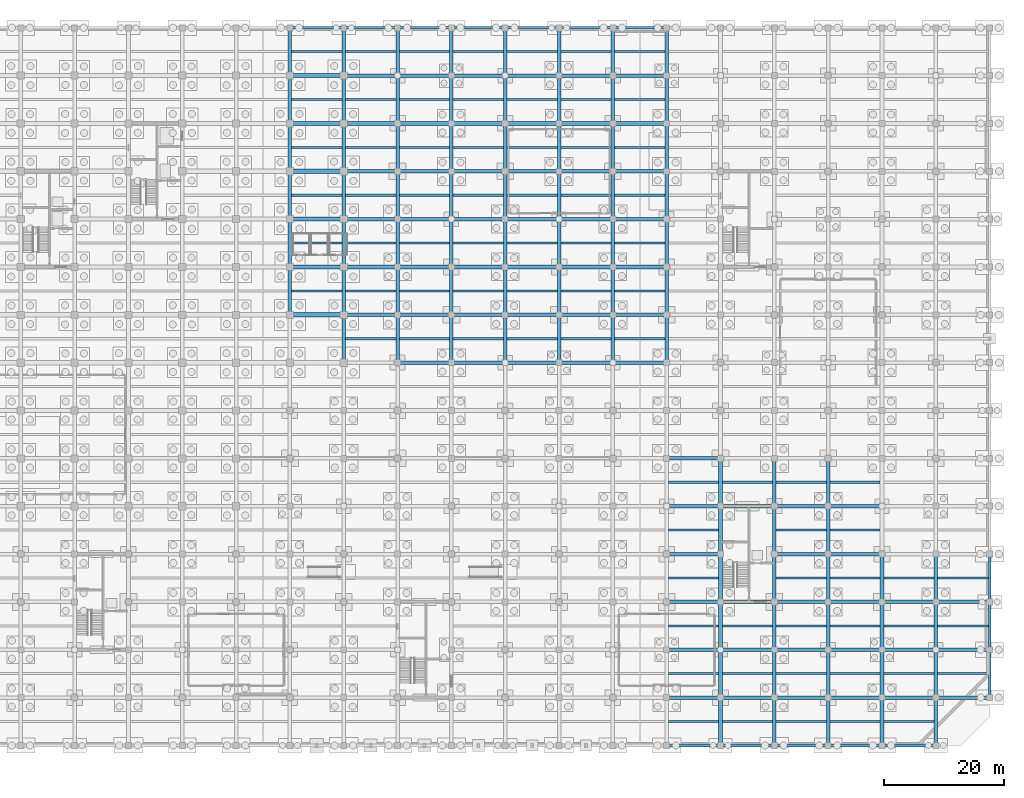
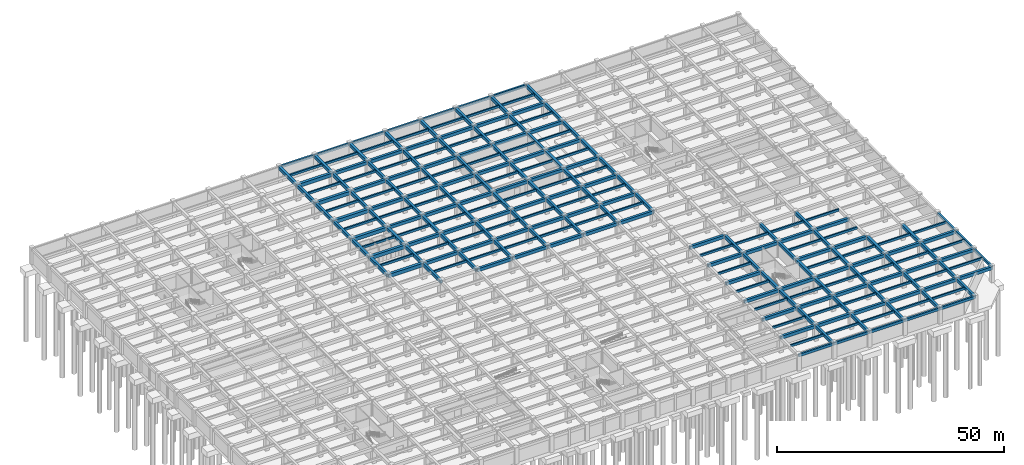
# One storey, part 14 of 31: 246 beams.
"""IFC4 building model written with IfcOpenShell, lengths in metres."""

from ifc_helpers import new_model, si_unit, direction, frame, origin, origin_2d, place, context, subcontext, project, spatial, rectangle, extrude, material, material_profile, profile_set, type_object, element, save


model = new_model("IFC4")

# Units and contexts
model_context = context("Model", 3, precision=1e-05, world=origin(), true_north=direction((0.0, 1.0)))
body_context = subcontext(model_context, "Body", "Model", "MODEL_VIEW")
ifc_project = project(units=[si_unit("LENGTHUNIT", "METRE"), si_unit("AREAUNIT", "SQUARE_METRE"), si_unit("VOLUMEUNIT", "CUBIC_METRE"), si_unit("PLANEANGLEUNIT", "RADIAN"), si_unit("MASSUNIT", "GRAM", prefix="KILO")], contexts=[model_context])

# Site, building, storey
site_placement = place(None, origin())
site = spatial("IfcSite", under=ifc_project, at=site_placement, CompositionType="ELEMENT")
building_placement = place(site_placement, origin())
building = spatial("IfcBuilding", under=site, at=building_placement, Name="Zaverband Oceanarium and Marine Research Institute", CompositionType="ELEMENT")
storey_placement = place(building_placement, frame((0.0, 0.0, -9.0)))
storey = spatial("IfcBuildingStorey", under=building, at=storey_placement, Name="B2", CompositionType="ELEMENT", Elevation=-9.0)

# Beams
ifc_material_1 = material(Name="Concrete C40/50", Category="concrete")
ifc_material_profile_1 = material_profile(ifc_material_1, rectangle(XDim=0.60009765625, YDim=0.85009765625, at=origin_2d()), Name="RC600x850")
ifc_profile_set_1 = profile_set([ifc_material_profile_1], Name="Concrete C40/50")
beam_type_1 = type_object("IfcBeamType", Name="BM-600x850", PredefinedType="BEAM", material=ifc_profile_set_1)
for number, where, z_axis, x_axis, name in (
    (1, (126.0, 8.0, 3.77490234375), (1.0, 0.0, 0.0), (0.0, 1.0, 0.0), "Primary floor girder BM-600x850"),
    (2, (135.0, 8.0, 3.77490234375), (1.0, 0.0, 0.0), (0.0, 1.0, 0.0), "Primary floor girder BM-600x850"),
    (3, (144.0, 8.0, 3.77490234375), (1.0, 0.0, 0.0), (0.0, 1.0, 0.0), "Primary floor girder BM-600x850"),
    (4, (153.0, 8.0, 3.77490234375), (1.0, 0.0, 0.0), (0.0, 1.0, 0.0), "Primary floor girder BM-600x850"),
    (5, (162.0, 8.0, 3.77490234375), (1.0, 0.0, 0.0), (0.0, 1.0, 0.0), "Primary floor girder BM-600x850"),
    (6, (171.0, 8.0, 3.77490234375), (1.0, 0.0, 0.0), (0.0, 1.0, 0.0), "Primary floor girder BM-600x850"),
    (7, (126.0, 16.0, 3.77490234375), (1.0, 0.0, 0.0), (0.0, 1.0, 0.0), "Primary floor girder BM-600x850"),
    (8, (135.0, 16.0, 3.77490234375), (1.0, 0.0, 0.0), (0.0, 1.0, 0.0), "Primary floor girder BM-600x850"),
    (9, (144.0, 16.0, 3.77490234375), (1.0, 0.0, 0.0), (0.0, 1.0, 0.0), "Primary floor girder BM-600x850"),
    (10, (153.0, 16.0, 3.77490234375), (1.0, 0.0, 0.0), (0.0, 1.0, 0.0), "Primary floor girder BM-600x850"),
    (11, (162.0, 16.0, 3.77490234375), (1.0, 0.0, 0.0), (0.0, 1.0, 0.0), "Primary floor girder BM-600x850"),
    (12, (171.0, 16.0, 3.77490234375), (1.0, 0.0, 0.0), (0.0, 1.0, 0.0), "Primary floor girder BM-600x850"),
    (13, (126.0, 24.0, 3.77490234375), (1.0, 0.0, 0.0), (0.0, 1.0, 0.0), "Primary floor girder BM-600x850"),
    (14, (135.0, 24.0, 3.77490234375), (1.0, 0.0, 0.0), (0.0, 1.0, 0.0), "Primary floor girder BM-600x850"),
    (15, (144.0, 24.0, 3.77490234375), (1.0, 0.0, 0.0), (0.0, 1.0, 0.0), "Primary floor girder BM-600x850"),
    (16, (153.0, 24.0, 3.77490234375), (1.0, 0.0, 0.0), (0.0, 1.0, 0.0), "Primary floor girder BM-600x850"),
    (17, (162.0, 24.0, 3.77490234375), (1.0, 0.0, 0.0), (0.0, 1.0, 0.0), "Primary floor girder BM-600x850"),
    (18, (171.0, 24.0, 3.77490234375), (1.0, 0.0, 0.0), (0.0, 1.0, 0.0), "Primary floor girder BM-600x850"),
    (19, (126.0, 32.0, 3.77490234375), (1.0, 0.0, 0.0), (0.0, 1.0, 0.0), "Primary floor girder BM-600x850"),
    (20, (144.0, 32.0, 3.77490234375), (1.0, 0.0, 0.0), (0.0, 1.0, 0.0), "Primary floor girder BM-600x850"),
    (21, (153.0, 32.0, 3.77490234375), (1.0, 0.0, 0.0), (0.0, 1.0, 0.0), "Primary floor girder BM-600x850"),
    (22, (126.0, 40.0, 3.77490234375), (1.0, 0.0, 0.0), (0.0, 1.0, 0.0), "Primary floor girder BM-600x850"),
    (23, (135.0, 40.0, 3.77490234375), (1.0, 0.0, 0.0), (0.0, 1.0, 0.0), "Primary floor girder BM-600x850"),
    (24, (144.0, 40.0, 3.77490234375), (1.0, 0.0, 0.0), (0.0, 1.0, 0.0), "Primary floor girder BM-600x850"),
    (25, (153.0, 40.0, 3.77490234375), (1.0, 0.0, 0.0), (0.0, 1.0, 0.0), "Primary floor girder BM-600x850"),
    (26, (126.0, 48.0, 3.77490234375), (1.0, 0.0, 0.0), (0.0, 1.0, 0.0), "Primary floor girder BM-600x850"),
    (27, (81.0, 64.0, 3.77490234375), (1.0, 0.0, 0.0), (0.0, 1.0, 0.0), "Primary floor girder BM-600x850"),
    (28, (90.0, 64.0, 3.77490234375), (1.0, 0.0, 0.0), (0.0, 1.0, 0.0), "Primary floor girder BM-600x850"),
    (29, (99.0, 64.0, 3.77490234375), (1.0, 0.0, 0.0), (0.0, 1.0, 0.0), "Primary floor girder BM-600x850"),
    (30, (108.0, 64.0, 3.77490234375), (1.0, 0.0, 0.0), (0.0, 1.0, 0.0), "Primary floor girder BM-600x850"),
    (31, (117.0, 64.0, 3.77490234375), (1.0, 0.0, 0.0), (0.0, 1.0, 0.0), "Primary floor girder BM-600x850"),
    (32, (72.0, 72.0, 3.77490234375), (1.0, 0.0, 0.0), (0.0, 1.0, 0.0), "Primary floor girder BM-600x850"),
    (33, (81.0, 72.0, 3.77490234375), (1.0, 0.0, 0.0), (0.0, 1.0, 0.0), "Primary floor girder BM-600x850"),
    (34, (90.0, 72.0, 3.77490234375), (1.0, 0.0, 0.0), (0.0, 1.0, 0.0), "Primary floor girder BM-600x850"),
    (35, (99.0, 72.0, 3.77490234375), (1.0, 0.0, 0.0), (0.0, 1.0, 0.0), "Primary floor girder BM-600x850"),
    (36, (108.0, 72.0, 3.77490234375), (1.0, 0.0, 0.0), (0.0, 1.0, 0.0), "Primary floor girder BM-600x850"),
    (37, (117.0, 72.0, 3.77490234375), (1.0, 0.0, 0.0), (0.0, 1.0, 0.0), "Primary floor girder BM-600x850"),
    (38, (72.0, 80.0, 3.77490234375), (1.0, 0.0, 0.0), (0.0, 1.0, 0.0), "Primary floor girder BM-600x850"),
    (39, (81.0, 80.0, 3.77490234375), (1.0, 0.0, 0.0), (0.0, 1.0, 0.0), "Primary floor girder BM-600x850"),
    (40, (90.0, 80.0, 3.77490234375), (1.0, 0.0, 0.0), (0.0, 1.0, 0.0), "Primary floor girder BM-600x850"),
    (41, (99.0, 80.0, 3.77490234375), (1.0, 0.0, 0.0), (0.0, 1.0, 0.0), "Primary floor girder BM-600x850"),
    (42, (108.0, 80.0, 3.77490234375), (1.0, 0.0, 0.0), (0.0, 1.0, 0.0), "Primary floor girder BM-600x850"),
    (43, (117.0, 80.0, 3.77490234375), (1.0, 0.0, 0.0), (0.0, 1.0, 0.0), "Primary floor girder BM-600x850"),
    (44, (72.0, 88.0, 3.77490234375), (1.0, 0.0, 0.0), (0.0, 1.0, 0.0), "Primary floor girder BM-600x850"),
    (45, (81.0, 88.0, 3.77490234375), (1.0, 0.0, 0.0), (0.0, 1.0, 0.0), "Primary floor girder BM-600x850"),
    (46, (90.0, 88.0, 3.77490234375), (1.0, 0.0, 0.0), (0.0, 1.0, 0.0), "Primary floor girder BM-600x850"),
    (47, (99.0, 88.0, 3.77490234375), (1.0, 0.0, 0.0), (0.0, 1.0, 0.0), "Primary floor girder BM-600x850"),
    (48, (108.0, 88.0, 3.77490234375), (1.0, 0.0, 0.0), (0.0, 1.0, 0.0), "Primary floor girder BM-600x850"),
    (49, (117.0, 88.0, 3.77490234375), (1.0, 0.0, 0.0), (0.0, 1.0, 0.0), "Primary floor girder BM-600x850"),
    (50, (72.0, 96.0, 3.77490234375), (1.0, 0.0, 0.0), (0.0, 1.0, 0.0), "Primary floor girder BM-600x850"),
    (51, (81.0, 96.0, 3.77490234375), (1.0, 0.0, 0.0), (0.0, 1.0, 0.0), "Primary floor girder BM-600x850"),
    (52, (90.0, 96.0, 3.77490234375), (1.0, 0.0, 0.0), (0.0, 1.0, 0.0), "Primary floor girder BM-600x850"),
    (53, (99.0, 96.0, 3.77490234375), (1.0, 0.0, 0.0), (0.0, 1.0, 0.0), "Primary floor girder BM-600x850"),
    (54, (108.0, 96.0, 3.77490234375), (1.0, 0.0, 0.0), (0.0, 1.0, 0.0), "Primary floor girder BM-600x850"),
    (55, (117.0, 96.0, 3.77490234375), (1.0, 0.0, 0.0), (0.0, 1.0, 0.0), "Primary floor girder BM-600x850"),
    (56, (72.0, 104.0, 3.77490234375), (1.0, 0.0, 0.0), (0.0, 1.0, 0.0), "Primary floor girder BM-600x850"),
    (57, (81.0, 104.0, 3.77490234375), (1.0, 0.0, 0.0), (0.0, 1.0, 0.0), "Primary floor girder BM-600x850"),
    (58, (90.0, 104.0, 3.77490234375), (1.0, 0.0, 0.0), (0.0, 1.0, 0.0), "Primary floor girder BM-600x850"),
    (59, (99.0, 104.0, 3.77490234375), (1.0, 0.0, 0.0), (0.0, 1.0, 0.0), "Primary floor girder BM-600x850"),
    (60, (108.0, 104.0, 3.77490234375), (1.0, 0.0, 0.0), (0.0, 1.0, 0.0), "Primary floor girder BM-600x850"),
    (61, (117.0, 104.0, 3.77490234375), (1.0, 0.0, 0.0), (0.0, 1.0, 0.0), "Primary floor girder BM-600x850"),
    (62, (72.0, 112.0, 3.77490234375), (1.0, 0.0, 0.0), (0.0, 1.0, 0.0), "Primary floor girder BM-600x850"),
    (63, (81.0, 112.0, 3.77490234375), (1.0, 0.0, 0.0), (0.0, 1.0, 0.0), "Primary floor girder BM-600x850"),
    (64, (90.0, 112.0, 3.77490234375), (1.0, 0.0, 0.0), (0.0, 1.0, 0.0), "Primary floor girder BM-600x850"),
    (65, (99.0, 112.0, 3.77490234375), (1.0, 0.0, 0.0), (0.0, 1.0, 0.0), "Primary floor girder BM-600x850"),
    (66, (108.0, 112.0, 3.77490234375), (1.0, 0.0, 0.0), (0.0, 1.0, 0.0), "Primary floor girder BM-600x850"),
    (67, (117.0, 112.0, 3.77490234375), (1.0, 0.0, 0.0), (0.0, 1.0, 0.0), "Primary floor girder BM-600x850"),
):
    element("IfcBeam", number, at=place(storey_placement, frame(where, z_axis=z_axis, x_axis=x_axis)), inside=storey, type_object=beam_type_1, Name=name, PredefinedType="BEAM", context=body_context, shape_type="SweptSolid", body=[
        extrude(rectangle(XDim=0.60009765625, YDim=0.85009765625, at=origin_2d()), origin(), (0.0, 0.0, 1.0), 9.0),
    ])
for number, where, z_axis, x_axis, name in (
    (68, (63.0, 72.0, 3.77490234375), (0.0, 1.0, 0.0), (-1.0, 0.0, 0.0), "Primary floor girder BM-600x850"),
    (69, (63.0, 80.0, 3.77490234375), (0.0, 1.0, 0.0), (-1.0, 0.0, 0.0), "Primary floor girder BM-600x850"),
    (70, (63.0, 88.0, 3.77490234375), (0.0, 1.0, 0.0), (-1.0, 0.0, 0.0), "Primary floor girder BM-600x850"),
    (71, (63.0, 96.0, 3.77490234375), (0.0, 1.0, 0.0), (-1.0, 0.0, 0.0), "Primary floor girder BM-600x850"),
    (72, (63.0, 104.0, 3.77490234375), (0.0, 1.0, 0.0), (-1.0, 0.0, 0.0), "Primary floor girder BM-600x850"),
    (73, (63.0, 112.0, 3.77490234375), (0.0, 1.0, 0.0), (-1.0, 0.0, 0.0), "Primary floor girder BM-600x850"),
    (74, (72.0, 64.0, 3.77490234375), (0.0, 1.0, 0.0), (-1.0, 0.0, 0.0), "Primary floor girder BM-600x850"),
    (75, (72.0, 72.0, 3.77490234375), (0.0, 1.0, 0.0), (-1.0, 0.0, 0.0), "Primary floor girder BM-600x850"),
    (76, (72.0, 80.0, 3.77490234375), (0.0, 1.0, 0.0), (-1.0, 0.0, 0.0), "Primary floor girder BM-600x850"),
    (77, (72.0, 88.0, 3.77490234375), (0.0, 1.0, 0.0), (-1.0, 0.0, 0.0), "Primary floor girder BM-600x850"),
    (78, (72.0, 96.0, 3.77490234375), (0.0, 1.0, 0.0), (-1.0, 0.0, 0.0), "Primary floor girder BM-600x850"),
    (79, (72.0, 104.0, 3.77490234375), (0.0, 1.0, 0.0), (-1.0, 0.0, 0.0), "Primary floor girder BM-600x850"),
    (80, (72.0, 112.0, 3.77490234375), (0.0, 1.0, 0.0), (-1.0, 0.0, 0.0), "Primary floor girder BM-600x850"),
    (81, (81.0, 64.0, 3.77490234375), (0.0, 1.0, 0.0), (-1.0, 0.0, 0.0), "Primary floor girder BM-600x850"),
    (82, (81.0, 72.0, 3.77490234375), (0.0, 1.0, 0.0), (-1.0, 0.0, 0.0), "Primary floor girder BM-600x850"),
    (83, (81.0, 80.0, 3.77490234375), (0.0, 1.0, 0.0), (-1.0, 0.0, 0.0), "Primary floor girder BM-600x850"),
    (84, (81.0, 88.0, 3.77490234375), (0.0, 1.0, 0.0), (-1.0, 0.0, 0.0), "Primary floor girder BM-600x850"),
    (85, (81.0, 96.0, 3.77490234375), (0.0, 1.0, 0.0), (-1.0, 0.0, 0.0), "Primary floor girder BM-600x850"),
    (86, (81.0, 104.0, 3.77490234375), (0.0, 1.0, 0.0), (-1.0, 0.0, 0.0), "Primary floor girder BM-600x850"),
    (87, (81.0, 112.0, 3.77490234375), (0.0, 1.0, 0.0), (-1.0, 0.0, 0.0), "Primary floor girder BM-600x850"),
    (88, (90.0, 64.0, 3.77490234375), (0.0, 1.0, 0.0), (-1.0, 0.0, 0.0), "Primary floor girder BM-600x850"),
    (89, (90.0, 72.0, 3.77490234375), (0.0, 1.0, 0.0), (-1.0, 0.0, 0.0), "Primary floor girder BM-600x850"),
    (90, (90.0, 80.0, 3.77490234375), (0.0, 1.0, 0.0), (-1.0, 0.0, 0.0), "Primary floor girder BM-600x850"),
    (91, (90.0, 88.0, 3.77490234375), (0.0, 1.0, 0.0), (-1.0, 0.0, 0.0), "Primary floor girder BM-600x850"),
    (92, (90.0, 96.0, 3.77490234375), (0.0, 1.0, 0.0), (-1.0, 0.0, 0.0), "Primary floor girder BM-600x850"),
    (93, (90.0, 104.0, 3.77490234375), (0.0, 1.0, 0.0), (-1.0, 0.0, 0.0), "Primary floor girder BM-600x850"),
    (94, (90.0, 112.0, 3.77490234375), (0.0, 1.0, 0.0), (-1.0, 0.0, 0.0), "Primary floor girder BM-600x850"),
    (95, (99.0, 64.0, 3.77490234375), (0.0, 1.0, 0.0), (-1.0, 0.0, 0.0), "Primary floor girder BM-600x850"),
    (96, (99.0, 72.0, 3.77490234375), (0.0, 1.0, 0.0), (-1.0, 0.0, 0.0), "Primary floor girder BM-600x850"),
    (97, (99.0, 80.0, 3.77490234375), (0.0, 1.0, 0.0), (-1.0, 0.0, 0.0), "Primary floor girder BM-600x850"),
    (98, (99.0, 88.0, 3.77490234375), (0.0, 1.0, 0.0), (-1.0, 0.0, 0.0), "Primary floor girder BM-600x850"),
    (99, (99.0, 96.0, 3.77490234375), (0.0, 1.0, 0.0), (-1.0, 0.0, 0.0), "Primary floor girder BM-600x850"),
    (100, (99.0, 104.0, 3.77490234375), (0.0, 1.0, 0.0), (-1.0, 0.0, 0.0), "Primary floor girder BM-600x850"),
    (101, (99.0, 112.0, 3.77490234375), (0.0, 1.0, 0.0), (-1.0, 0.0, 0.0), "Primary floor girder BM-600x850"),
    (102, (108.0, 64.0, 3.77490234375), (0.0, 1.0, 0.0), (-1.0, 0.0, 0.0), "Primary floor girder BM-600x850"),
    (103, (108.0, 72.0, 3.77490234375), (0.0, 1.0, 0.0), (-1.0, 0.0, 0.0), "Primary floor girder BM-600x850"),
    (104, (108.0, 80.0, 3.77490234375), (0.0, 1.0, 0.0), (-1.0, 0.0, 0.0), "Primary floor girder BM-600x850"),
    (105, (108.0, 88.0, 3.77490234375), (0.0, 1.0, 0.0), (-1.0, 0.0, 0.0), "Primary floor girder BM-600x850"),
    (106, (108.0, 96.0, 3.77490234375), (0.0, 1.0, 0.0), (-1.0, 0.0, 0.0), "Primary floor girder BM-600x850"),
    (107, (108.0, 104.0, 3.77490234375), (0.0, 1.0, 0.0), (-1.0, 0.0, 0.0), "Primary floor girder BM-600x850"),
    (108, (108.0, 112.0, 3.77490234375), (0.0, 1.0, 0.0), (-1.0, 0.0, 0.0), "Primary floor girder BM-600x850"),
    (109, (117.0, 64.0, 3.77490234375), (0.0, 1.0, 0.0), (-1.0, 0.0, 0.0), "Primary floor girder BM-600x850"),
    (110, (117.0, 72.0, 3.77490234375), (0.0, 1.0, 0.0), (-1.0, 0.0, 0.0), "Primary floor girder BM-600x850"),
    (111, (117.0, 80.0, 3.77490234375), (0.0, 1.0, 0.0), (-1.0, 0.0, 0.0), "Primary floor girder BM-600x850"),
    (112, (117.0, 88.0, 3.77490234375), (0.0, 1.0, 0.0), (-1.0, 0.0, 0.0), "Primary floor girder BM-600x850"),
    (113, (117.0, 96.0, 3.77490234375), (0.0, 1.0, 0.0), (-1.0, 0.0, 0.0), "Primary floor girder BM-600x850"),
    (114, (117.0, 104.0, 3.77490234375), (0.0, 1.0, 0.0), (-1.0, 0.0, 0.0), "Primary floor girder BM-600x850"),
    (115, (117.0, 112.0, 3.77490234375), (0.0, 1.0, 0.0), (-1.0, 0.0, 0.0), "Primary floor girder BM-600x850"),
    (116, (126.0, 64.0, 3.77490234375), (0.0, 1.0, 0.0), (-1.0, 0.0, 0.0), "Primary floor girder BM-600x850"),
    (117, (126.0, 72.0, 3.77490234375), (0.0, 1.0, 0.0), (-1.0, 0.0, 0.0), "Primary floor girder BM-600x850"),
    (118, (126.0, 80.0, 3.77490234375), (0.0, 1.0, 0.0), (-1.0, 0.0, 0.0), "Primary floor girder BM-600x850"),
    (119, (126.0, 88.0, 3.77490234375), (0.0, 1.0, 0.0), (-1.0, 0.0, 0.0), "Primary floor girder BM-600x850"),
    (120, (126.0, 96.0, 3.77490234375), (0.0, 1.0, 0.0), (-1.0, 0.0, 0.0), "Primary floor girder BM-600x850"),
    (121, (126.0, 104.0, 3.77490234375), (0.0, 1.0, 0.0), (-1.0, 0.0, 0.0), "Primary floor girder BM-600x850"),
    (122, (126.0, 112.0, 3.77490234375), (0.0, 1.0, 0.0), (-1.0, 0.0, 0.0), "Primary floor girder BM-600x850"),
    (123, (135.0, 0.0, 3.77490234375), (0.0, 1.0, 0.0), (-1.0, 0.0, 0.0), "Primary floor girder BM-600x850"),
    (124, (135.0, 8.0, 3.77490234375), (0.0, 1.0, 0.0), (-1.0, 0.0, 0.0), "Primary floor girder BM-600x850"),
    (125, (135.0, 16.0, 3.77490234375), (0.0, 1.0, 0.0), (-1.0, 0.0, 0.0), "Primary floor girder BM-600x850"),
    (126, (135.0, 24.0, 3.77490234375), (0.0, 1.0, 0.0), (-1.0, 0.0, 0.0), "Primary floor girder BM-600x850"),
    (127, (135.0, 32.0, 3.77490234375), (0.0, 1.0, 0.0), (-1.0, 0.0, 0.0), "Primary floor girder BM-600x850"),
    (128, (135.0, 40.0, 3.77490234375), (0.0, 1.0, 0.0), (-1.0, 0.0, 0.0), "Primary floor girder BM-600x850"),
    (129, (144.0, 0.0, 3.77490234375), (0.0, 1.0, 0.0), (-1.0, 0.0, 0.0), "Primary floor girder BM-600x850"),
    (130, (144.0, 8.0, 3.77490234375), (0.0, 1.0, 0.0), (-1.0, 0.0, 0.0), "Primary floor girder BM-600x850"),
    (131, (144.0, 16.0, 3.77490234375), (0.0, 1.0, 0.0), (-1.0, 0.0, 0.0), "Primary floor girder BM-600x850"),
    (132, (144.0, 24.0, 3.77490234375), (0.0, 1.0, 0.0), (-1.0, 0.0, 0.0), "Primary floor girder BM-600x850"),
    (133, (144.0, 32.0, 3.77490234375), (0.0, 1.0, 0.0), (-1.0, 0.0, 0.0), "Primary floor girder BM-600x850"),
    (134, (144.0, 40.0, 3.77490234375), (0.0, 1.0, 0.0), (-1.0, 0.0, 0.0), "Primary floor girder BM-600x850"),
    (135, (153.0, 0.0, 3.77490234375), (0.0, 1.0, 0.0), (-1.0, 0.0, 0.0), "Primary floor girder BM-600x850"),
    (136, (153.0, 8.0, 3.77490234375), (0.0, 1.0, 0.0), (-1.0, 0.0, 0.0), "Primary floor girder BM-600x850"),
    (137, (153.0, 16.0, 3.77490234375), (0.0, 1.0, 0.0), (-1.0, 0.0, 0.0), "Primary floor girder BM-600x850"),
    (138, (153.0, 24.0, 3.77490234375), (0.0, 1.0, 0.0), (-1.0, 0.0, 0.0), "Primary floor girder BM-600x850"),
    (139, (153.0, 32.0, 3.77490234375), (0.0, 1.0, 0.0), (-1.0, 0.0, 0.0), "Primary floor girder BM-600x850"),
    (140, (153.0, 40.0, 3.77490234375), (0.0, 1.0, 0.0), (-1.0, 0.0, 0.0), "Primary floor girder BM-600x850"),
    (141, (162.0, 0.0, 3.77490234375), (0.0, 1.0, 0.0), (-1.0, 0.0, 0.0), "Primary floor girder BM-600x850"),
    (142, (162.0, 8.0, 3.77490234375), (0.0, 1.0, 0.0), (-1.0, 0.0, 0.0), "Primary floor girder BM-600x850"),
    (143, (162.0, 16.0, 3.77490234375), (0.0, 1.0, 0.0), (-1.0, 0.0, 0.0), "Primary floor girder BM-600x850"),
    (144, (162.0, 24.0, 3.77490234375), (0.0, 1.0, 0.0), (-1.0, 0.0, 0.0), "Primary floor girder BM-600x850"),
    (145, (171.0, 0.0, 3.77490234375), (0.0, 1.0, 0.0), (-1.0, 0.0, 0.0), "Primary floor girder BM-600x850"),
    (146, (171.0, 8.0, 3.77490234375), (0.0, 1.0, 0.0), (-1.0, 0.0, 0.0), "Primary floor girder BM-600x850"),
    (147, (171.0, 16.0, 3.77490234375), (0.0, 1.0, 0.0), (-1.0, 0.0, 0.0), "Primary floor girder BM-600x850"),
    (148, (171.0, 24.0, 3.77490234375), (0.0, 1.0, 0.0), (-1.0, 0.0, 0.0), "Primary floor girder BM-600x850"),
):
    element("IfcBeam", number, at=place(storey_placement, frame(where, z_axis=z_axis, x_axis=x_axis)), inside=storey, type_object=beam_type_1, Name=name, PredefinedType="BEAM", context=body_context, shape_type="SweptSolid", body=[
        extrude(rectangle(XDim=0.60009765625, YDim=0.85009765625, at=origin_2d()), origin(), (0.0, 0.0, 1.0), 8.0),
    ])
ifc_material_2 = material(Name="Concrete C50/60", Category="concrete")
ifc_material_profile_2 = material_profile(ifc_material_2, rectangle(XDim=0.699951171875, YDim=0.949951171875, at=origin_2d()), Name="RC700x950")
ifc_profile_set_2 = profile_set([ifc_material_profile_2], Name="Concrete C50/60")
beam_type_2 = type_object("IfcBeamType", Name="BM-700x950", PredefinedType="BEAM", material=ifc_profile_set_2)
for number, where, z_axis, x_axis, name in (
    (149, (63.0, 72.0, 3.72509765625), (1.0, 0.0, 0.0), (0.0, 1.0, 0.0), "Primary floor girder BM-700x950"),
    (150, (63.0, 80.0, 3.72509765625), (1.0, 0.0, 0.0), (0.0, 1.0, 0.0), "Primary floor girder BM-700x950"),
    (151, (63.0, 88.0, 3.72509765625), (1.0, 0.0, 0.0), (0.0, 1.0, 0.0), "Primary floor girder BM-700x950"),
    (152, (63.0, 96.0, 3.72509765625), (1.0, 0.0, 0.0), (0.0, 1.0, 0.0), "Primary floor girder BM-700x950"),
    (153, (63.0, 104.0, 3.72509765625), (1.0, 0.0, 0.0), (0.0, 1.0, 0.0), "Primary floor girder BM-700x950"),
    (154, (63.0, 112.0, 3.72509765625), (1.0, 0.0, 0.0), (0.0, 1.0, 0.0), "Primary floor girder BM-700x950"),
):
    element("IfcBeam", number, at=place(storey_placement, frame(where, z_axis=z_axis, x_axis=x_axis)), inside=storey, type_object=beam_type_2, Name=name, PredefinedType="BEAM", context=body_context, shape_type="SweptSolid", body=[
        extrude(rectangle(XDim=0.699951171875, YDim=0.949951171875, at=origin_2d()), origin(), (0.0, 0.0, 1.0), 9.0),
    ])
ifc_material_profile_3 = material_profile(ifc_material_1, rectangle(XDim=0.35009765625, YDim=0.60009765625, at=origin_2d()), Name="RC350x600")
ifc_profile_set_3 = profile_set([ifc_material_profile_3], Name="Concrete C40/50")
beam_type_3 = type_object("IfcBeamType", Name="JST-350x600", PredefinedType="JOIST", material=ifc_profile_set_3)
for number, where, z_axis, x_axis, name in (
    (155, (63.300048828125, 76.0, 3.89990234375), (1.0, 0.0, 0.0), (0.0, 1.0, 0.0), "Secondary floor joist JST-350x600"),
    (156, (63.300048828125, 84.0, 3.89990234375), (1.0, 0.0, 0.0), (0.0, 1.0, 0.0), "Secondary floor joist JST-350x600"),
    (157, (63.300048828125, 92.0, 3.89990234375), (1.0, 0.0, 0.0), (0.0, 1.0, 0.0), "Secondary floor joist JST-350x600"),
    (158, (63.300048828125, 100.0, 3.89990234375), (1.0, 0.0, 0.0), (0.0, 1.0, 0.0), "Secondary floor joist JST-350x600"),
    (159, (63.300048828125, 108.0, 3.89990234375), (1.0, 0.0, 0.0), (0.0, 1.0, 0.0), "Secondary floor joist JST-350x600"),
    (160, (63.300048828125, 116.0, 3.89990234375), (1.0, 0.0, 0.0), (0.0, 1.0, 0.0), "Secondary floor joist JST-350x600"),
    (161, (72.300048828125, 68.0, 3.89990234375), (1.0, 0.0, 0.0), (0.0, 1.0, 0.0), "Secondary floor joist JST-350x600"),
    (162, (72.300048828125, 76.0, 3.89990234375), (1.0, 0.0, 0.0), (0.0, 1.0, 0.0), "Secondary floor joist JST-350x600"),
    (163, (72.300048828125, 84.0, 3.89990234375), (1.0, 0.0, 0.0), (0.0, 1.0, 0.0), "Secondary floor joist JST-350x600"),
    (164, (72.300048828125, 92.0, 3.89990234375), (1.0, 0.0, 0.0), (0.0, 1.0, 0.0), "Secondary floor joist JST-350x600"),
    (165, (72.300048828125, 100.0, 3.89990234375), (1.0, 0.0, 0.0), (0.0, 1.0, 0.0), "Secondary floor joist JST-350x600"),
    (166, (72.300048828125, 108.0, 3.89990234375), (1.0, 0.0, 0.0), (0.0, 1.0, 0.0), "Secondary floor joist JST-350x600"),
    (167, (72.300048828125, 116.0, 3.89990234375), (1.0, 0.0, 0.0), (0.0, 1.0, 0.0), "Secondary floor joist JST-350x600"),
    (168, (81.300048828125, 68.0, 3.89990234375), (1.0, 0.0, 0.0), (0.0, 1.0, 0.0), "Secondary floor joist JST-350x600"),
    (169, (81.300048828125, 76.0, 3.89990234375), (1.0, 0.0, 0.0), (0.0, 1.0, 0.0), "Secondary floor joist JST-350x600"),
    (170, (81.300048828125, 84.0, 3.89990234375), (1.0, 0.0, 0.0), (0.0, 1.0, 0.0), "Secondary floor joist JST-350x600"),
    (171, (81.300048828125, 92.0, 3.89990234375), (1.0, 0.0, 0.0), (0.0, 1.0, 0.0), "Secondary floor joist JST-350x600"),
    (172, (81.300048828125, 100.0, 3.89990234375), (1.0, 0.0, 0.0), (0.0, 1.0, 0.0), "Secondary floor joist JST-350x600"),
    (173, (81.300048828125, 108.0, 3.89990234375), (1.0, 0.0, 0.0), (0.0, 1.0, 0.0), "Secondary floor joist JST-350x600"),
    (174, (81.300048828125, 116.0, 3.89990234375), (1.0, 0.0, 0.0), (0.0, 1.0, 0.0), "Secondary floor joist JST-350x600"),
    (175, (90.300048828125, 68.0, 3.89990234375), (1.0, 0.0, 0.0), (0.0, 1.0, 0.0), "Secondary floor joist JST-350x600"),
    (176, (90.300048828125, 76.0, 3.89990234375), (1.0, 0.0, 0.0), (0.0, 1.0, 0.0), "Secondary floor joist JST-350x600"),
    (177, (90.300048828125, 84.0, 3.89990234375), (1.0, 0.0, 0.0), (0.0, 1.0, 0.0), "Secondary floor joist JST-350x600"),
    (178, (90.300048828125, 92.0, 3.89990234375), (1.0, 0.0, 0.0), (0.0, 1.0, 0.0), "Secondary floor joist JST-350x600"),
    (179, (90.300048828125, 100.0, 3.89990234375), (1.0, 0.0, 0.0), (0.0, 1.0, 0.0), "Secondary floor joist JST-350x600"),
    (180, (90.300048828125, 108.0, 3.89990234375), (1.0, 0.0, 0.0), (0.0, 1.0, 0.0), "Secondary floor joist JST-350x600"),
    (181, (90.300048828125, 116.0, 3.89990234375), (1.0, 0.0, 0.0), (0.0, 1.0, 0.0), "Secondary floor joist JST-350x600"),
    (182, (99.300048828125, 68.0, 3.89990234375), (1.0, 0.0, 0.0), (0.0, 1.0, 0.0), "Secondary floor joist JST-350x600"),
    (183, (99.300048828125, 76.0, 3.89990234375), (1.0, 0.0, 0.0), (0.0, 1.0, 0.0), "Secondary floor joist JST-350x600"),
    (184, (99.300048828125, 84.0, 3.89990234375), (1.0, 0.0, 0.0), (0.0, 1.0, 0.0), "Secondary floor joist JST-350x600"),
    (185, (99.300048828125, 92.0, 3.89990234375), (1.0, 0.0, 0.0), (0.0, 1.0, 0.0), "Secondary floor joist JST-350x600"),
    (186, (99.300048828125, 100.0, 3.89990234375), (1.0, 0.0, 0.0), (0.0, 1.0, 0.0), "Secondary floor joist JST-350x600"),
    (187, (99.300048828125, 108.0, 3.89990234375), (1.0, 0.0, 0.0), (0.0, 1.0, 0.0), "Secondary floor joist JST-350x600"),
    (188, (99.300048828125, 116.0, 3.89990234375), (1.0, 0.0, 0.0), (0.0, 1.0, 0.0), "Secondary floor joist JST-350x600"),
    (189, (108.300048828125, 68.0, 3.89990234375), (1.0, 0.0, 0.0), (0.0, 1.0, 0.0), "Secondary floor joist JST-350x600"),
    (190, (108.300048828125, 76.0, 3.89990234375), (1.0, 0.0, 0.0), (0.0, 1.0, 0.0), "Secondary floor joist JST-350x600"),
    (191, (108.300048828125, 84.0, 3.89990234375), (1.0, 0.0, 0.0), (0.0, 1.0, 0.0), "Secondary floor joist JST-350x600"),
    (192, (108.300048828125, 92.0, 3.89990234375), (1.0, 0.0, 0.0), (0.0, 1.0, 0.0), "Secondary floor joist JST-350x600"),
    (193, (108.300048828125, 100.0, 3.89990234375), (1.0, 0.0, 0.0), (0.0, 1.0, 0.0), "Secondary floor joist JST-350x600"),
    (194, (108.300048828125, 108.0, 3.89990234375), (1.0, 0.0, 0.0), (0.0, 1.0, 0.0), "Secondary floor joist JST-350x600"),
    (195, (108.300048828125, 116.0, 3.89990234375), (1.0, 0.0, 0.0), (0.0, 1.0, 0.0), "Secondary floor joist JST-350x600"),
    (196, (117.300048828125, 68.0, 3.89990234375), (1.0, 0.0, 0.0), (0.0, 1.0, 0.0), "Secondary floor joist JST-350x600"),
    (197, (117.300048828125, 76.0, 3.89990234375), (1.0, 0.0, 0.0), (0.0, 1.0, 0.0), "Secondary floor joist JST-350x600"),
    (198, (117.300048828125, 84.0, 3.89990234375), (1.0, 0.0, 0.0), (0.0, 1.0, 0.0), "Secondary floor joist JST-350x600"),
    (199, (117.300048828125, 92.0, 3.89990234375), (1.0, 0.0, 0.0), (0.0, 1.0, 0.0), "Secondary floor joist JST-350x600"),
    (200, (117.300048828125, 100.0, 3.89990234375), (1.0, 0.0, 0.0), (0.0, 1.0, 0.0), "Secondary floor joist JST-350x600"),
    (201, (117.300048828125, 108.0, 3.89990234375), (1.0, 0.0, 0.0), (0.0, 1.0, 0.0), "Secondary floor joist JST-350x600"),
    (202, (117.300048828125, 116.0, 3.89990234375), (1.0, 0.0, 0.0), (0.0, 1.0, 0.0), "Secondary floor joist JST-350x600"),
    (203, (126.300048828125, 4.0, 3.89990234375), (1.0, 0.0, 0.0), (0.0, 1.0, 0.0), "Secondary floor joist JST-350x600"),
    (204, (126.300048828125, 12.0, 3.89990234375), (1.0, 0.0, 0.0), (0.0, 1.0, 0.0), "Secondary floor joist JST-350x600"),
    (205, (126.300048828125, 20.0, 3.89990234375), (1.0, 0.0, 0.0), (0.0, 1.0, 0.0), "Secondary floor joist JST-350x600"),
    (206, (126.300048828125, 28.0, 3.89990234375), (1.0, 0.0, 0.0), (0.0, 1.0, 0.0), "Secondary floor joist JST-350x600"),
    (207, (126.300048828125, 36.0, 3.89990234375), (1.0, 0.0, 0.0), (0.0, 1.0, 0.0), "Secondary floor joist JST-350x600"),
    (208, (126.300048828125, 44.0, 3.89990234375), (1.0, 0.0, 0.0), (0.0, 1.0, 0.0), "Secondary floor joist JST-350x600"),
    (209, (135.300048828125, 4.0, 3.89990234375), (1.0, 0.0, 0.0), (0.0, 1.0, 0.0), "Secondary floor joist JST-350x600"),
    (210, (135.300048828125, 12.0, 3.89990234375), (1.0, 0.0, 0.0), (0.0, 1.0, 0.0), "Secondary floor joist JST-350x600"),
    (211, (135.300048828125, 20.0, 3.89990234375), (1.0, 0.0, 0.0), (0.0, 1.0, 0.0), "Secondary floor joist JST-350x600"),
    (212, (135.300048828125, 44.0, 3.89990234375), (1.0, 0.0, 0.0), (0.0, 1.0, 0.0), "Secondary floor joist JST-350x600"),
    (213, (144.300048828125, 4.0, 3.89990234375), (1.0, 0.0, 0.0), (0.0, 1.0, 0.0), "Secondary floor joist JST-350x600"),
    (214, (144.300048828125, 12.0, 3.89990234375), (1.0, 0.0, 0.0), (0.0, 1.0, 0.0), "Secondary floor joist JST-350x600"),
    (215, (144.300048828125, 20.0, 3.89990234375), (1.0, 0.0, 0.0), (0.0, 1.0, 0.0), "Secondary floor joist JST-350x600"),
    (216, (144.300048828125, 28.0, 3.89990234375), (1.0, 0.0, 0.0), (0.0, 1.0, 0.0), "Secondary floor joist JST-350x600"),
    (217, (144.300048828125, 36.0, 3.89990234375), (1.0, 0.0, 0.0), (0.0, 1.0, 0.0), "Secondary floor joist JST-350x600"),
    (218, (144.300048828125, 44.0, 3.89990234375), (1.0, 0.0, 0.0), (0.0, 1.0, 0.0), "Secondary floor joist JST-350x600"),
    (219, (153.300048828125, 4.0, 3.89990234375), (1.0, 0.0, 0.0), (0.0, 1.0, 0.0), "Secondary floor joist JST-350x600"),
    (220, (153.300048828125, 12.0, 3.89990234375), (1.0, 0.0, 0.0), (0.0, 1.0, 0.0), "Secondary floor joist JST-350x600"),
    (221, (153.300048828125, 20.0, 3.89990234375), (1.0, 0.0, 0.0), (0.0, 1.0, 0.0), "Secondary floor joist JST-350x600"),
    (222, (153.300048828125, 28.0, 3.89990234375), (1.0, 0.0, 0.0), (0.0, 1.0, 0.0), "Secondary floor joist JST-350x600"),
    (223, (153.300048828125, 36.0, 3.89990234375), (1.0, 0.0, 0.0), (0.0, 1.0, 0.0), "Secondary floor joist JST-350x600"),
    (224, (153.300048828125, 44.0, 3.89990234375), (1.0, 0.0, 0.0), (0.0, 1.0, 0.0), "Secondary floor joist JST-350x600"),
    (225, (162.300048828125, 4.0, 3.89990234375), (1.0, 0.0, 0.0), (0.0, 1.0, 0.0), "Secondary floor joist JST-350x600"),
    (226, (162.300048828125, 12.0, 3.89990234375), (1.0, 0.0, 0.0), (0.0, 1.0, 0.0), "Secondary floor joist JST-350x600"),
    (227, (162.300048828125, 20.0, 3.89990234375), (1.0, 0.0, 0.0), (0.0, 1.0, 0.0), "Secondary floor joist JST-350x600"),
    (228, (162.300048828125, 28.0, 3.89990234375), (1.0, 0.0, 0.0), (0.0, 1.0, 0.0), "Secondary floor joist JST-350x600"),
):
    element("IfcBeam", number, at=place(storey_placement, frame(where, z_axis=z_axis, x_axis=x_axis)), inside=storey, type_object=beam_type_3, Name=name, PredefinedType="JOIST", context=body_context, shape_type="SweptSolid", body=[
        extrude(rectangle(XDim=0.35009765625, YDim=0.60009765625, at=origin_2d()), origin(), (0.0, 0.0, 1.0), 8.39990234375),
    ])
for number, where, z_axis, x_axis, name in (
    (229, (171.300048828125, 12.0, 3.89990234375), (1.0, 0.0, 0.0), (0.0, 1.0, 0.0), "Secondary floor joist JST-350x600"),
    (230, (171.300048828125, 20.0, 3.89990234375), (1.0, 0.0, 0.0), (0.0, 1.0, 0.0), "Secondary floor joist JST-350x600"),
    (231, (171.300048828125, 28.0, 3.89990234375), (1.0, 0.0, 0.0), (0.0, 1.0, 0.0), "Secondary floor joist JST-350x600"),
):
    element("IfcBeam", number, at=place(storey_placement, frame(where, z_axis=z_axis, x_axis=x_axis)), inside=storey, type_object=beam_type_3, Name=name, PredefinedType="JOIST", context=body_context, shape_type="SweptSolid", body=[
        extrude(rectangle(XDim=0.35009765625, YDim=0.60009765625, at=origin_2d()), origin(), (0.0, 0.0, 1.0), 8.474853515625),
    ])
ifc_material_profile_4 = material_profile(ifc_material_1, rectangle(XDim=0.449951171875, YDim=0.699951171875, at=origin_2d()), Name="RC450x700")
ifc_profile_set_4 = profile_set([ifc_material_profile_4], Name="Concrete C40/50")
beam_type_4 = type_object("IfcBeamType", Name="SPN-450x700", PredefinedType="SPANDREL", material=ifc_profile_set_4)
for number, where, z_axis, x_axis, name in (
    (232, (126.0, 0.0, 3.85009765625), (1.0, 0.0, 0.0), (0.0, 1.0, 0.0), "Perimeter spandrel beam SPN-450x700"),
    (233, (135.0, 0.0, 3.85009765625), (1.0, 0.0, 0.0), (0.0, 1.0, 0.0), "Perimeter spandrel beam SPN-450x700"),
    (234, (144.0, 0.0, 3.85009765625), (1.0, 0.0, 0.0), (0.0, 1.0, 0.0), "Perimeter spandrel beam SPN-450x700"),
    (235, (153.0, 0.0, 3.85009765625), (1.0, 0.0, 0.0), (0.0, 1.0, 0.0), "Perimeter spandrel beam SPN-450x700"),
    (236, (162.0, 0.0, 3.85009765625), (1.0, 0.0, 0.0), (0.0, 1.0, 0.0), "Perimeter spandrel beam SPN-450x700"),
    (237, (63.0, 120.0, 3.85009765625), (1.0, 0.0, 0.0), (0.0, 1.0, 0.0), "Perimeter spandrel beam SPN-450x700"),
    (238, (72.0, 120.0, 3.85009765625), (1.0, 0.0, 0.0), (0.0, 1.0, 0.0), "Perimeter spandrel beam SPN-450x700"),
    (239, (81.0, 120.0, 3.85009765625), (1.0, 0.0, 0.0), (0.0, 1.0, 0.0), "Perimeter spandrel beam SPN-450x700"),
    (240, (90.0, 120.0, 3.85009765625), (1.0, 0.0, 0.0), (0.0, 1.0, 0.0), "Perimeter spandrel beam SPN-450x700"),
    (241, (99.0, 120.0, 3.85009765625), (1.0, 0.0, 0.0), (0.0, 1.0, 0.0), "Perimeter spandrel beam SPN-450x700"),
    (242, (108.0, 120.0, 3.85009765625), (1.0, 0.0, 0.0), (0.0, 1.0, 0.0), "Perimeter spandrel beam SPN-450x700"),
    (243, (117.0, 120.0, 3.85009765625), (1.0, 0.0, 0.0), (0.0, 1.0, 0.0), "Perimeter spandrel beam SPN-450x700"),
):
    element("IfcBeam", number, at=place(storey_placement, frame(where, z_axis=z_axis, x_axis=x_axis)), inside=storey, type_object=beam_type_4, Name=name, PredefinedType="SPANDREL", context=body_context, shape_type="SweptSolid", body=[
        extrude(rectangle(XDim=0.449951171875, YDim=0.699951171875, at=origin_2d()), origin(), (0.0, 0.0, 1.0), 9.0),
    ])
for number, where, z_axis, x_axis, name in (
    (244, (180.0, 8.0, 3.85009765625), (0.0, 1.0, 0.0), (-1.0, 0.0, 0.0), "Perimeter spandrel beam SPN-450x700"),
    (245, (180.0, 16.0, 3.85009765625), (0.0, 1.0, 0.0), (-1.0, 0.0, 0.0), "Perimeter spandrel beam SPN-450x700"),
    (246, (180.0, 24.0, 3.85009765625), (0.0, 1.0, 0.0), (-1.0, 0.0, 0.0), "Perimeter spandrel beam SPN-450x700"),
):
    element("IfcBeam", number, at=place(storey_placement, frame(where, z_axis=z_axis, x_axis=x_axis)), inside=storey, type_object=beam_type_4, Name=name, PredefinedType="SPANDREL", context=body_context, shape_type="SweptSolid", body=[
        extrude(rectangle(XDim=0.449951171875, YDim=0.699951171875, at=origin_2d()), origin(), (0.0, 0.0, 1.0), 8.0),
    ])

save(model, "model.ifc")
